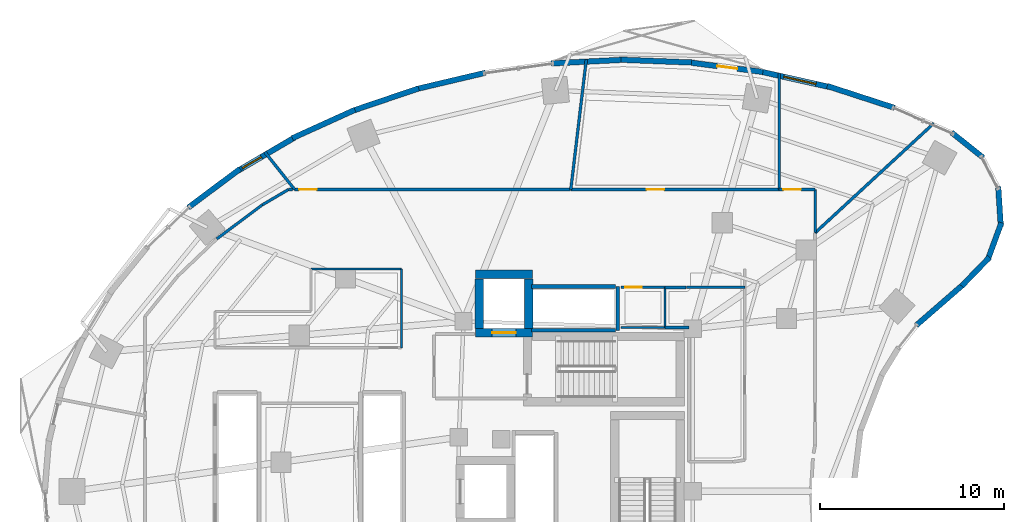
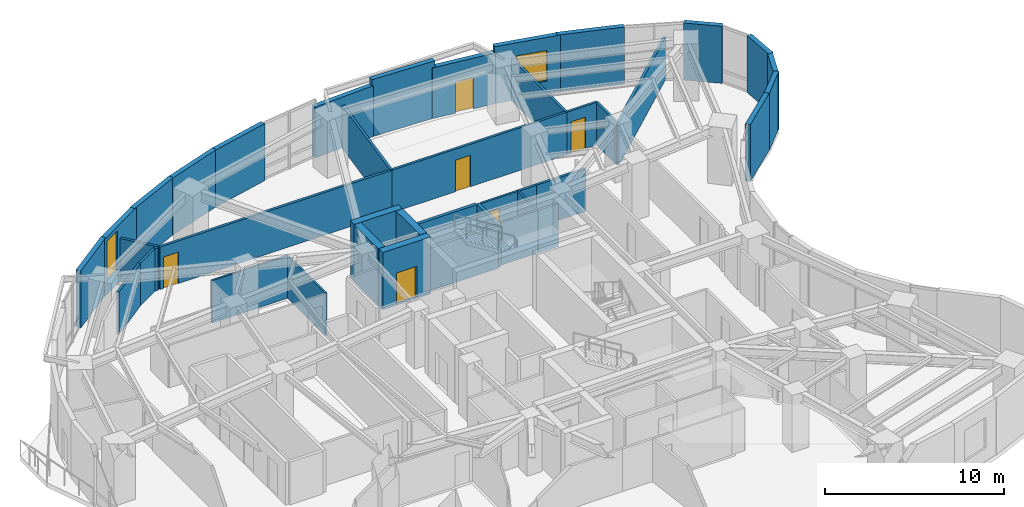
# One storey, part 11 of 15: 41 walls, 6 doors, 2 windows, 8 openings.
"""IFC4 building model written with IfcOpenShell, lengths in metres."""

from ifc_helpers import new_model, si_unit, direction, frame, frame_2d, origin, place, context, subcontext, project, spatial, rectangle, extrude, material, layer, layer_set, type_object, element, fill, save


model = new_model("IFC4")

# Units and contexts
model_context = context("Model", 3, precision=1e-05, world=origin(), true_north=direction((0.0, 1.0)))
body_context = subcontext(model_context, "Body", "Model", "MODEL_VIEW")
ifc_project = project(units=[si_unit("LENGTHUNIT", "METRE"), si_unit("AREAUNIT", "SQUARE_METRE"), si_unit("VOLUMEUNIT", "CUBIC_METRE"), si_unit("PLANEANGLEUNIT", "RADIAN"), si_unit("MASSUNIT", "GRAM", prefix="KILO")], contexts=[model_context])

# Site, building, storey
site_placement = place(None, origin())
site = spatial("IfcSite", under=ifc_project, at=site_placement, CompositionType="ELEMENT")
building_placement = place(site_placement, origin())
building = spatial("IfcBuilding", under=site, at=building_placement, Name="Korentha Bioscience Tower", CompositionType="ELEMENT")
storey_placement = place(building_placement, frame((0.0, 0.0, 76.199951171875)))
storey = spatial("IfcBuildingStorey", under=building, at=storey_placement, Name="L17", CompositionType="ELEMENT", Elevation=76.199951171875)

# Wall, opening, door
ifc_material_1 = material(Name="Double-Stud Acoustic Gypsum", Category="gypsum")
ifc_layer_1 = layer(ifc_material_1, 0.14990234375, Name="Double-Stud Acoustic Gypsum")
ifc_layer_set_1 = layer_set([ifc_layer_1], Name="Double-Stud Acoustic Gypsum (IW-L150)")
wall_type_1 = type_object("IfcWallType", Name="Acoustic Laboratory Partition Wall 150", PredefinedType="PARTITIONING", material=ifc_layer_set_1)
wall_1_placement = place(storey_placement, frame((42.241943359375, 43.409912109375, 0.0), z_axis=(0.0, 0.0, 1.0), x_axis=(-1.0, 0.0, 0.0)))
wall_1 = element("IfcWall", 1, at=wall_1_placement, inside=storey, type_object=wall_type_1, Name="L17 Lyophilization Freeze-Drying Room 11 Entrance Wall", PredefinedType="PARTITIONING", context=body_context, shape_type="SweptSolid", body=[
    extrude(rectangle(XDim=11.3095703125, YDim=0.14990234375, at=frame_2d((5.65478515625, 0.0))), origin(), (0.0, 0.0, 1.0), 2.91015625),
])
opening_1_placement = place(wall_1_placement, frame((6.240966796875, 0.0, 0.0)))
opening_1 = element("IfcOpeningElement", 2, at=opening_1_placement, cuts=wall_1, Name="Opening ID-10R", PredefinedType="OPENING", context=body_context, shape_type="SweptSolid", body=[
    extrude(rectangle(XDim=0.949951171875, YDim=2.14990234375, at=frame_2d((0.47509765625, 1.074951171875))), frame((0.0, 0.08984375, 0.0), z_axis=(0.0, -1.0, 0.0), x_axis=(1.0, 0.0, 0.0)), (0.0, 0.0, 1.0), 0.1796875),
])
ifc_material_2 = material(Name="Phenolic Laminate Timber Core", Category="wood")
door_type_1 = type_object("IfcDoorType", Name="Laboratory Single Leaf Door 950x2150 Right", OperationType="SINGLE_SWING_RIGHT", PredefinedType="DOOR", material=ifc_material_2)
door_1_placement = place(opening_1_placement, origin())
door_1 = element("IfcDoor", 3, at=door_1_placement, inside=storey, type_object=door_type_1, Name="L17 Lyophilization Freeze-Drying Room 11 Door", OperationType="SINGLE_SWING_RIGHT", OverallHeight=2.14990234375, OverallWidth=0.949951171875, PredefinedType="DOOR", context=body_context, shape_type="SweptSolid", body=[
    extrude(rectangle(XDim=0.949951171875, YDim=2.14990234375, at=frame_2d((0.47509765625, 1.074951171875))), frame((0.0, 0.02490234375, 0.0), z_axis=(0.0, -1.0, 0.0), x_axis=(1.0, 0.0, 0.0)), (0.0, 0.0, 1.0), 0.050048828125),
])
fill(opening_1, door_1)

# Walls
wall_2_placement = place(storey_placement, frame((37.35009765625, 35.909912109375, 0.0), z_axis=(0.0, 0.0, 1.0), x_axis=(-1.0, 0.0, 0.0)))
element("IfcWall", 4, at=wall_2_placement, inside=storey, type_object=wall_type_1, Name="L17 Interior Partition 063", PredefinedType="PARTITIONING", context=body_context, shape_type="SweptSolid", body=[
    extrude(rectangle(XDim=1.2900390625, YDim=0.14990234375, at=frame_2d((0.64501953125, 0.0))), origin(), (0.0, 0.0, 1.0), 2.91015625),
])
wall_3_placement = place(storey_placement, frame((36.06005859375, 38.090087890625, 0.0), z_axis=(0.0, 0.0, 1.0), x_axis=(1.0, 0.0, 0.0)))
element("IfcWall", 5, at=wall_3_placement, inside=storey, type_object=wall_type_1, Name="L17 Interior Partition 064", PredefinedType="PARTITIONING", context=body_context, shape_type="SweptSolid", body=[
    extrude(rectangle(XDim=1.139892578125, YDim=0.14990234375, at=frame_2d((0.56982421875, 0.0))), origin(), (0.0, 0.0, 1.0), 2.91015625),
])
wall_4_placement = place(storey_placement, frame((37.2099609375, 38.10009765625, 0.0), z_axis=(0.0, 0.0, 1.0), x_axis=(1.0, 0.0, 0.0)))
element("IfcWall", 6, at=wall_4_placement, inside=storey, type_object=wall_type_1, Name="L17 Interior Partition 066", PredefinedType="PARTITIONING", context=body_context, shape_type="SweptSolid", body=[
    extrude(rectangle(XDim=3.179931640625, YDim=0.14990234375, at=frame_2d((1.58984375, 0.0))), origin(), (0.0, 0.0, 1.0), 2.91015625),
])
wall_5_placement = place(storey_placement, frame((30.932373046875, 43.409912109375, 0.0), z_axis=(0.0, 0.0, 1.0), x_axis=(0.118403788483, 0.992965529549, 0.0)))
element("IfcWall", 7, at=wall_5_placement, inside=storey, type_object=wall_type_1, Name="L17 Interior Partition 070", PredefinedType="PARTITIONING", context=body_context, shape_type="SweptSolid", body=[
    extrude(rectangle(XDim=7.11572265625, YDim=0.14990234375, at=frame_2d((3.557861328125, 0.0))), origin(), (0.0, 0.0, 1.0), 2.91015625),
])
wall_6_placement = place(storey_placement, frame((15.81689453125, 43.409912109375, 0.0), z_axis=(0.0, 0.0, 1.0), x_axis=(-1.0, 0.0, 0.0)))
element("IfcWall", 8, at=wall_6_placement, inside=storey, type_object=wall_type_1, Name="L17 Interior Partition 077", PredefinedType="PARTITIONING", context=body_context, shape_type="SweptSolid", body=[
    extrude(rectangle(XDim=0.22607421875, YDim=0.14990234375, at=frame_2d((0.113037109375, 0.0))), origin(), (0.0, 0.0, 1.0), 2.91015625),
])
wall_7_placement = place(storey_placement, frame((15.585693359375, 43.40869140625, 0.0), z_axis=(0.0, 0.0, 1.0), x_axis=(-0.862446636904, -0.506148000582, 0.0)))
element("IfcWall", 9, at=wall_7_placement, inside=storey, type_object=wall_type_1, Name="L17 Interior Partition 078", PredefinedType="PARTITIONING", context=body_context, shape_type="SweptSolid", body=[
    extrude(rectangle(XDim=1.652099609375, YDim=0.14990234375, at=frame_2d((0.826171875, 0.0))), origin(), (0.0, 0.0, 1.0), 2.91015625),
])
wall_8_placement = place(storey_placement, frame((14.159912109375, 42.57177734375, 0.0), z_axis=(0.0, 0.0, 1.0), x_axis=(-0.800808090092, -0.598921032227, 0.0)))
element("IfcWall", 10, at=wall_8_placement, inside=storey, type_object=wall_type_1, Name="L17 Interior Partition 079", PredefinedType="PARTITIONING", context=body_context, shape_type="SweptSolid", body=[
    extrude(rectangle(XDim=3.078857421875, YDim=0.14990234375, at=frame_2d((1.53955078125, 0.0))), origin(), (0.0, 0.0, 1.0), 2.91015625),
])

# Wall, opening, door
ifc_material_3 = material(Name="Insulated Aluminium Honeycomb Panel", Category="aluminium")
ifc_layer_2 = layer(ifc_material_3, 0.139892578125, Name="Insulated Aluminium Honeycomb Panel")
ifc_layer_set_2 = layer_set([ifc_layer_2], Name="Insulated Aluminium Honeycomb Panel (IW-F60)")
wall_type_2 = type_object("IfcWallType", Name="Cleanroom Flush Metal Panel Partition 140", PredefinedType="PARTITIONING", material=ifc_layer_set_2)
wall_9_placement = place(storey_placement, frame((44.199951171875, 43.409912109375, 0.0), z_axis=(0.0, 0.0, 1.0), x_axis=(-1.0, 0.0, 0.0)))
wall_9 = element("IfcWall", 11, at=wall_9_placement, inside=storey, type_object=wall_type_2, Name="L17 Vaccine Formulation Cleanroom 10 Entrance Wall", PredefinedType="PARTITIONING", context=body_context, shape_type="SweptSolid", body=[
    extrude(rectangle(XDim=1.947998046875, YDim=0.139892578125, at=frame_2d((0.97412109375, 0.0))), origin(), (0.0, 0.0, 1.0), 2.91015625),
])
opening_2_placement = place(wall_9_placement, frame((0.758056640625, 0.0, 0.0)))
opening_2 = element("IfcOpeningElement", 12, at=opening_2_placement, cuts=wall_9, Name="Opening ID-10L", PredefinedType="OPENING", context=body_context, shape_type="SweptSolid", body=[
    extrude(rectangle(XDim=0.949951171875, YDim=2.14990234375, at=frame_2d((0.47509765625, 1.074951171875))), frame((0.0, 0.0849609375, 0.0), z_axis=(0.0, -1.0, 0.0), x_axis=(1.0, 0.0, 0.0)), (0.0, 0.0, 1.0), 0.169677734375),
])
door_type_2 = type_object("IfcDoorType", Name="Laboratory Single Leaf Door 950x2150 Left", OperationType="SINGLE_SWING_LEFT", PredefinedType="DOOR", material=ifc_material_2)
door_2_placement = place(opening_2_placement, origin())
door_2 = element("IfcDoor", 13, at=door_2_placement, inside=storey, type_object=door_type_2, Name="L17 Vaccine Formulation Cleanroom 10 Door", OperationType="SINGLE_SWING_LEFT", OverallHeight=2.14990234375, OverallWidth=0.949951171875, PredefinedType="DOOR", context=body_context, shape_type="SweptSolid", body=[
    extrude(rectangle(XDim=0.949951171875, YDim=2.14990234375, at=frame_2d((0.47509765625, 1.074951171875))), frame((0.0, 0.02490234375, 0.0), z_axis=(0.0, -1.0, 0.0), x_axis=(1.0, 0.0, 0.0)), (0.0, 0.0, 1.0), 0.050048828125),
])
fill(opening_2, door_2)

# Walls
wall_10_placement = place(storey_placement, frame((44.2099609375, 41.070556640625, 0.0), z_axis=(0.0, 0.0, 1.0), x_axis=(0.0, 1.0, 0.0)))
element("IfcWall", 14, at=wall_10_placement, inside=storey, type_object=wall_type_2, Name="L17 Interior Partition 068", PredefinedType="PARTITIONING", context=body_context, shape_type="SweptSolid", body=[
    extrude(rectangle(XDim=2.329345703125, YDim=0.139892578125, at=frame_2d((1.16455078125, 0.0))), origin(), (0.0, 0.0, 1.0), 2.91015625),
])
wall_11_placement = place(storey_placement, frame((42.251953125, 43.409912109375, 0.0), z_axis=(0.0, 0.0, 1.0), x_axis=(0.0, 1.0, 0.0)))
element("IfcWall", 15, at=wall_11_placement, inside=storey, type_object=wall_type_2, Name="L17 Interior Partition 069", PredefinedType="PARTITIONING", context=body_context, shape_type="SweptSolid", body=[
    extrude(rectangle(XDim=6.3212890625, YDim=0.139892578125, at=frame_2d((3.16064453125, 0.0))), origin(), (0.0, 0.0, 1.0), 2.91015625),
])
ifc_material_4 = material(Name="Fire-Rated Framed Glass", Category="glass")
ifc_layer_3 = layer(ifc_material_4, 0.110107421875, Name="Fire-Rated Framed Glass")
ifc_layer_set_3 = layer_set([ifc_layer_3], Name="Fire-Rated Framed Glass (IW-G110)")
wall_type_3 = type_object("IfcWallType", Name="Demountable Glazed Office Partition 110", PredefinedType="MOVABLE", material=ifc_layer_set_3)
wall_12_placement = place(storey_placement, frame((16.81005859375, 39.090087890625, 0.0), z_axis=(0.0, 0.0, 1.0), x_axis=(1.0, 0.0, 0.0)))
element("IfcWall", 16, at=wall_12_placement, inside=storey, type_object=wall_type_3, Name="L17 Interior Partition 074", PredefinedType="MOVABLE", context=body_context, shape_type="SweptSolid", body=[
    extrude(rectangle(XDim=4.929931640625, YDim=0.110107421875, at=frame_2d((2.46484375, 0.0))), origin(), (0.0, 0.0, 1.0), 2.91015625),
])
wall_13_placement = place(storey_placement, frame((21.739990234375, 39.090087890625, 0.0), z_axis=(0.0, 0.0, 1.0), x_axis=(0.0, -1.0, 0.0)))
element("IfcWall", 17, at=wall_13_placement, inside=storey, type_object=wall_type_3, Name="L17 Interior Partition 075", PredefinedType="MOVABLE", context=body_context, shape_type="SweptSolid", body=[
    extrude(rectangle(XDim=4.280029296875, YDim=0.110107421875, at=frame_2d((2.14013671875, 0.0))), origin(), (0.0, 0.0, 1.0), 2.91015625),
])

# Wall, opening, door
ifc_material_5 = material(Name="Gypsum-Clad Steel Stud", Category="steel")
ifc_layer_4 = layer(ifc_material_5, 0.159912109375, Name="Gypsum-Clad Steel Stud")
ifc_layer_set_4 = layer_set([ifc_layer_4], Name="Gypsum-Clad Steel Stud (IW-C160)")
wall_type_4 = type_object("IfcWallType", Name="Fire-Rated Corridor Partition Wall 160", PredefinedType="PARTITIONING", material=ifc_layer_set_4)
wall_14_placement = place(storey_placement, frame((30.92236328125, 43.409912109375, 0.0), z_axis=(0.0, 0.0, 1.0), x_axis=(-1.0, 0.0, 0.0)))
wall_14 = element("IfcWall", 18, at=wall_14_placement, inside=storey, type_object=wall_type_4, Name="L17 Cold-Chain Stability Chamber 12 Entrance Wall", PredefinedType="PARTITIONING", context=body_context, shape_type="SweptSolid", body=[
    extrude(rectangle(XDim=14.999267578125, YDim=0.159912109375, at=frame_2d((7.49951171875, 0.0))), origin(), (0.0, 0.0, 1.0), 2.91015625),
])
opening_3_placement = place(wall_14_placement, frame((13.809326171875, 0.0, 0.0)))
opening_3 = element("IfcOpeningElement", 19, at=opening_3_placement, cuts=wall_14, Name="Opening ID-10L", PredefinedType="OPENING", context=body_context, shape_type="SweptSolid", body=[
    extrude(rectangle(XDim=0.949951171875, YDim=2.14990234375, at=frame_2d((0.47509765625, 1.074951171875))), frame((0.0, 0.0947265625, 0.0), z_axis=(0.0, -1.0, 0.0), x_axis=(1.0, 0.0, 0.0)), (0.0, 0.0, 1.0), 0.189697265625),
])
door_3_placement = place(opening_3_placement, origin())
door_3 = element("IfcDoor", 20, at=door_3_placement, inside=storey, type_object=door_type_2, Name="L17 Cold-Chain Stability Chamber 12 Door", OperationType="SINGLE_SWING_LEFT", OverallHeight=2.14990234375, OverallWidth=0.949951171875, PredefinedType="DOOR", context=body_context, shape_type="SweptSolid", body=[
    extrude(rectangle(XDim=0.949951171875, YDim=2.14990234375, at=frame_2d((0.47509765625, 1.074951171875))), frame((0.0, 0.02490234375, 0.0), z_axis=(0.0, -1.0, 0.0), x_axis=(1.0, 0.0, 0.0)), (0.0, 0.0, 1.0), 0.050048828125),
])
fill(opening_3, door_3)

# Walls
wall_15_placement = place(storey_placement, frame((44.2099609375, 41.056884765625, 0.0), z_axis=(0.0, 0.0, 1.0), x_axis=(0.734905798847, 0.678169202206, 0.0)))
element("IfcWall", 21, at=wall_15_placement, inside=storey, type_object=wall_type_4, Name="L17 Interior Partition 060", PredefinedType="PARTITIONING", context=body_context, shape_type="SweptSolid", body=[
    extrude(rectangle(XDim=8.7783203125, YDim=0.159912109375, at=frame_2d((4.38916015625, 0.0))), origin(), (0.0, 0.0, 1.0), 2.91015625),
])
wall_16_placement = place(storey_placement, frame((15.923095703125, 43.409912109375, 0.0), z_axis=(0.0, 0.0, 1.0), x_axis=(-0.622507898818, 0.782613516309, 0.0)))
element("IfcWall", 22, at=wall_16_placement, inside=storey, type_object=wall_type_4, Name="L17 Interior Partition 071", PredefinedType="PARTITIONING", context=body_context, shape_type="SweptSolid", body=[
    extrude(rectangle(XDim=2.60302734375, YDim=0.159912109375, at=frame_2d((1.301513671875, 0.0))), origin(), (0.0, 0.0, 1.0), 2.91015625),
])

# Wall, opening, window
ifc_material_6 = material(Name="Honed Limestone Precast Concrete C40", Category="masonry")
ifc_layer_5 = layer(ifc_material_6, 0.300048828125, Name="Honed Limestone Precast Concrete C40")
ifc_layer_set_5 = layer_set([ifc_layer_5], Name="Honed Limestone Precast Concrete C40 (EW-ST300)")
wall_type_5 = type_object("IfcWallType", Name="Honed Limestone Cavity Spandrel Wall 300", PredefinedType="STANDARD", material=ifc_layer_set_5)
wall_17_placement = place(storey_placement, frame((45.015869140625, 48.97607421875, 0.0), z_axis=(0.0, 0.0, 1.0), x_axis=(-0.9758772609, 0.218319883791, 0.0)))
wall_17 = element("IfcWall", 23, at=wall_17_placement, inside=storey, type_object=wall_type_5, Name="L17 Honed Limestone Spandrel Wall 03", PredefinedType="STANDARD", context=body_context, shape_type="SweptSolid", body=[
    extrude(rectangle(XDim=3.869140625, YDim=0.300048828125, at=frame_2d((1.9345703125, 0.0))), origin(), (0.0, 0.0, 1.0), 3.900146484375),
])
opening_4_placement = place(wall_17_placement, frame((0.775634765625, 0.0, 0.89990234375)))
opening_4 = element("IfcOpeningElement", 24, at=opening_4_placement, cuts=wall_17, Name="Opening WN-01", PredefinedType="OPENING", context=body_context, shape_type="SweptSolid", body=[
    extrude(rectangle(XDim=1.800048828125, YDim=2.10009765625, at=frame_2d((0.89990234375, 1.050048828125))), frame((0.0, 0.1650390625, 0.0), z_axis=(0.0, -1.0, 0.0), x_axis=(1.0, 0.0, 0.0)), (0.0, 0.0, 1.0), 0.329833984375),
])
ifc_material_7 = material(Name="Thermally Broken Aluminium Triple Glazing", Category="aluminium")
window_type_1 = type_object("IfcWindowType", Name="Triple-Glazed Fixed Bioscience Window 1800x2100", PartitioningType="SINGLE_PANEL", PredefinedType="WINDOW", material=ifc_material_7)
window_1_placement = place(opening_4_placement, origin())
window_1 = element("IfcWindow", 25, at=window_1_placement, inside=storey, type_object=window_type_1, Name="L17 Facade Window 03", OverallHeight=2.10009765625, OverallWidth=1.800048828125, PartitioningType="SINGLE_PANEL", PredefinedType="WINDOW", context=body_context, shape_type="SweptSolid", body=[
    extrude(rectangle(XDim=1.800048828125, YDim=2.10009765625, at=frame_2d((0.89990234375, 1.050048828125))), frame((0.0, 0.030029296875, 0.0), z_axis=(0.0, -1.0, 0.0), x_axis=(1.0, 0.0, 0.0)), (0.0, 0.0, 1.0), 0.06005859375),
])
fill(opening_4, window_1)

# Wall, opening, door
wall_18_placement = place(storey_placement, frame((41.37255859375, 49.797607421875, 0.0), z_axis=(0.0, 0.0, 1.0), x_axis=(-0.991741322416, 0.128254237408, 0.0)))
wall_18 = element("IfcWall", 26, at=wall_18_placement, inside=storey, type_object=wall_type_5, Name="L17 Balcony Threshold Wall 01", PredefinedType="STANDARD", context=body_context, shape_type="SweptSolid", body=[
    extrude(rectangle(XDim=3.91552734375, YDim=0.300048828125, at=frame_2d((1.957763671875, 0.0))), origin(), (0.0, 0.0, 1.0), 3.469970703125),
])
opening_5_placement = place(wall_18_placement, frame((1.407958984375, 0.0, 0.0)))
opening_5 = element("IfcOpeningElement", 27, at=opening_5_placement, cuts=wall_18, Name="Opening BD-11L", PredefinedType="OPENING", context=body_context, shape_type="SweptSolid", body=[
    extrude(rectangle(XDim=1.10009765625, YDim=2.14990234375, at=frame_2d((0.550048828125, 1.074951171875))), frame((0.0, 0.1650390625, 0.0), z_axis=(0.0, -1.0, 0.0), x_axis=(1.0, 0.0, 0.0)), (0.0, 0.0, 1.0), 0.329833984375),
])
ifc_material_8 = material(Name="Thermally Broken Glazed Aluminium", Category="aluminium")
door_type_3 = type_object("IfcDoorType", Name="Balcony Terrace Glazed Door 1100x2150 Left", OperationType="SINGLE_SWING_LEFT", PredefinedType="DOOR", material=ifc_material_8)
door_4_placement = place(opening_5_placement, origin())
door_4 = element("IfcDoor", 28, at=door_4_placement, inside=storey, type_object=door_type_3, Name="L17 Balcony Access Door 01", OperationType="SINGLE_SWING_LEFT", OverallHeight=2.14990234375, OverallWidth=1.10009765625, PredefinedType="DOOR", context=body_context, shape_type="SweptSolid", body=[
    extrude(rectangle(XDim=1.10009765625, YDim=2.14990234375, at=frame_2d((0.550048828125, 1.074951171875))), frame((0.0, 0.02490234375, 0.0), z_axis=(0.0, -1.0, 0.0), x_axis=(1.0, 0.0, 0.0)), (0.0, 0.0, 1.0), 0.050048828125),
])
fill(opening_5, door_4)

# Wall, opening, window
wall_19_placement = place(storey_placement, frame((15.943603515625, 46.25048828125, 0.0), z_axis=(0.0, 0.0, 1.0), x_axis=(-0.862473134325, -0.506102847817, 0.0)))
wall_19 = element("IfcWall", 29, at=wall_19_placement, inside=storey, type_object=wall_type_5, Name="L17 Honed Limestone Spandrel Wall 11", PredefinedType="STANDARD", context=body_context, shape_type="SweptSolid", body=[
    extrude(rectangle(XDim=3.59521484375, YDim=0.300048828125, at=frame_2d((1.797607421875, 0.0))), origin(), (0.0, 0.0, 1.0), 3.900146484375),
])
opening_6_placement = place(wall_19_placement, frame((2.120361328125, 0.0, 0.89990234375)))
opening_6 = element("IfcOpeningElement", 30, at=opening_6_placement, cuts=wall_19, Name="Opening WN-03", PredefinedType="OPENING", context=body_context, shape_type="SweptSolid", body=[
    extrude(rectangle(XDim=1.199951171875, YDim=2.699951171875, at=frame_2d((0.60009765625, 1.35009765625))), frame((0.0, 0.1650390625, 0.0), z_axis=(0.0, -1.0, 0.0), x_axis=(1.0, 0.0, 0.0)), (0.0, 0.0, 1.0), 0.329833984375),
])
window_type_2 = type_object("IfcWindowType", Name="Theatre Foyer Tall Ribbon Window 1200x2700", PartitioningType="SINGLE_PANEL", PredefinedType="WINDOW", material=ifc_material_7)
window_2_placement = place(opening_6_placement, origin())
window_2 = element("IfcWindow", 31, at=window_2_placement, inside=storey, type_object=window_type_2, Name="L17 Facade Window 11", OverallHeight=2.699951171875, OverallWidth=1.199951171875, PartitioningType="SINGLE_PANEL", PredefinedType="WINDOW", context=body_context, shape_type="SweptSolid", body=[
    extrude(rectangle(XDim=1.199951171875, YDim=2.699951171875, at=frame_2d((0.60009765625, 1.35009765625))), frame((0.0, 0.030029296875, 0.0), z_axis=(0.0, -1.0, 0.0), x_axis=(1.0, 0.0, 0.0)), (0.0, 0.0, 1.0), 0.06005859375),
])
fill(opening_6, window_2)

# Walls
wall_20_placement = place(storey_placement, frame((48.524658203125, 47.84912109375, 0.0), z_axis=(0.0, 0.0, 1.0), x_axis=(-0.950965833732, 0.309295947393, 0.0)))
element("IfcWall", 32, at=wall_20_placement, inside=storey, type_object=wall_type_5, Name="L17 Limestone Perimeter Closure Wall 02", PredefinedType="STANDARD", context=body_context, shape_type="SweptSolid", body=[
    extrude(rectangle(XDim=3.840087890625, YDim=0.300048828125, at=frame_2d((1.919921875, 0.0))), origin(), (0.0, 0.0, 1.0), 3.900146484375),
])
wall_21_placement = place(storey_placement, frame((37.643798828125, 50.307861328125, 0.0), z_axis=(0.0, 0.0, 1.0), x_axis=(-0.999245411623, 0.038840794937, 0.0)))
element("IfcWall", 33, at=wall_21_placement, inside=storey, type_object=wall_type_5, Name="L17 Limestone Perimeter Closure Wall 05", PredefinedType="STANDARD", context=body_context, shape_type="SweptSolid", body=[
    extrude(rectangle(XDim=3.978759765625, YDim=0.300048828125, at=frame_2d((1.9892578125, 0.0))), origin(), (0.0, 0.0, 1.0), 3.900146484375),
])
wall_22_placement = place(storey_placement, frame((33.84033203125, 50.46337890625, 0.0), z_axis=(0.0, 0.0, 1.0), x_axis=(-0.998732359232, -0.050335619826, 0.0)))
element("IfcWall", 34, at=wall_22_placement, inside=storey, type_object=wall_type_5, Name="L17 Limestone Perimeter Closure Wall 06", PredefinedType="STANDARD", context=body_context, shape_type="SweptSolid", body=[
    extrude(rectangle(XDim=3.977294921875, YDim=0.300048828125, at=frame_2d((1.98876953125, 0.0))), origin(), (0.0, 0.0, 1.0), 3.469970703125),
])
wall_23_placement = place(storey_placement, frame((26.29736328125, 49.7587890625, 0.0), z_axis=(0.0, 0.0, 1.0), x_axis=(-0.973197600754, -0.229970497863, 0.0)))
element("IfcWall", 35, at=wall_23_placement, inside=storey, type_object=wall_type_5, Name="L17 Limestone Perimeter Closure Wall 08", PredefinedType="STANDARD", context=body_context, shape_type="SweptSolid", body=[
    extrude(rectangle(XDim=3.9013671875, YDim=0.300048828125, at=frame_2d((1.95068359375, 0.0))), origin(), (0.0, 0.0, 1.0), 3.900146484375),
])
wall_24_placement = place(storey_placement, frame((22.6669921875, 48.9091796875, 0.0), z_axis=(0.0, 0.0, 1.0), x_axis=(-0.94702579403, -0.321157508773, 0.0)))
element("IfcWall", 36, at=wall_24_placement, inside=storey, type_object=wall_type_5, Name="L17 Limestone Perimeter Closure Wall 09", PredefinedType="STANDARD", context=body_context, shape_type="SweptSolid", body=[
    extrude(rectangle(XDim=3.829833984375, YDim=0.300048828125, at=frame_2d((1.9150390625, 0.0))), origin(), (0.0, 0.0, 1.0), 3.900146484375),
])
wall_25_placement = place(storey_placement, frame((19.201416015625, 47.7431640625, 0.0), z_axis=(0.0, 0.0, 1.0), x_axis=(-0.910623406862, -0.413237233166, 0.0)))
element("IfcWall", 37, at=wall_25_placement, inside=storey, type_object=wall_type_5, Name="L17 Limestone Perimeter Closure Wall 10", PredefinedType="STANDARD", context=body_context, shape_type="SweptSolid", body=[
    extrude(rectangle(XDim=3.73974609375, YDim=0.300048828125, at=frame_2d((1.869873046875, 0.0))), origin(), (0.0, 0.0, 1.0), 3.900146484375),
])
wall_26_placement = place(storey_placement, frame((12.96142578125, 44.53515625, 0.0), z_axis=(0.0, 0.0, 1.0), x_axis=(-0.800823020995, -0.598901067827, 0.0)))
element("IfcWall", 38, at=wall_26_placement, inside=storey, type_object=wall_type_5, Name="L17 Limestone Perimeter Closure Wall 12", PredefinedType="STANDARD", context=body_context, shape_type="SweptSolid", body=[
    extrude(rectangle(XDim=3.520751953125, YDim=0.300048828125, at=frame_2d((1.76025390625, 0.0))), origin(), (0.0, 0.0, 1.0), 3.900146484375),
])
wall_27_placement = place(storey_placement, frame((49.708984375, 36.029296875, 0.0), z_axis=(0.0, 0.0, 1.0), x_axis=(0.754746490246, 0.656016566454, 0.0)))
element("IfcWall", 39, at=wall_27_placement, inside=storey, type_object=wall_type_5, Name="L17 Limestone Perimeter Closure Wall 56", PredefinedType="STANDARD", context=body_context, shape_type="SweptSolid", body=[
    extrude(rectangle(XDim=3.4296875, YDim=0.300048828125, at=frame_2d((1.71484375, 0.0))), origin(), (0.0, 0.0, 1.0), 3.900146484375),
])
wall_28_placement = place(storey_placement, frame((52.1728515625, 38.1611328125, 0.0), z_axis=(0.0, 0.0, 1.0), x_axis=(0.695404695719, 0.718618333451, 0.0)))
element("IfcWall", 40, at=wall_28_placement, inside=storey, type_object=wall_type_5, Name="L17 Limestone Perimeter Closure Wall 58", PredefinedType="STANDARD", context=body_context, shape_type="SweptSolid", body=[
    extrude(rectangle(XDim=2.1875, YDim=0.300048828125, at=frame_2d((1.09375, 0.0))), origin(), (0.0, 0.0, 1.0), 3.900146484375),
])
for number, where, z_axis, x_axis, name in (
    (41, (53.580078125, 39.551513671875, 0.0), (0.0, 0.0, 1.0), (0.344939866054, 0.938624785954, 0.0), "L17 Limestone Perimeter Closure Wall 59"),
    (42, (54.303955078125, 41.392578125, 0.0), (0.0, 0.0, 1.0), (-0.064615302336, 0.99791024782, 0.0), "L17 Limestone Perimeter Closure Wall 60"),
    (43, (53.343994140625, 45.142822265625, 0.0), (0.0, 0.0, 1.0), (-0.782282158644, 0.622924252432, 0.0), "L17 Limestone Perimeter Closure Wall 62"),
):
    element("IfcWall", number, at=place(storey_placement, frame(where, z_axis=z_axis, x_axis=x_axis)), inside=storey, type_object=wall_type_5, Name=name, PredefinedType="STANDARD", context=body_context, shape_type="SweptSolid", body=[
        extrude(rectangle(XDim=2.187744140625, YDim=0.300048828125, at=frame_2d((1.09375, 0.0))), origin(), (0.0, 0.0, 1.0), 3.900146484375),
    ])
ifc_material_9 = material(Name="Autoclaved Aerated Concrete Block C25", Category="concrete")
ifc_layer_6 = layer(ifc_material_9, 0.199951171875, Name="Autoclaved Aerated Concrete Block C25")
ifc_layer_set_6 = layer_set([ifc_layer_6], Name="Autoclaved Aerated Concrete Block C25 (IW-S200)")
wall_type_6 = type_object("IfcWallType", Name="Lift and Riser Shaft Enclosure Wall 200", PredefinedType="PARTITIONING", material=ifc_layer_set_6)
wall_29_placement = place(storey_placement, frame((33.489990234375, 35.760009765625, 0.0), z_axis=(0.0, 0.0, 1.0), x_axis=(0.0, 1.0, 0.0)))
element("IfcWall", 44, at=wall_29_placement, inside=storey, type_object=wall_type_6, Name="L17 Lift Bank OBS Shaft Wall +X", PredefinedType="PARTITIONING", context=body_context, shape_type="SweptSolid", body=[
    extrude(rectangle(XDim=2.3798828125, YDim=0.199951171875, at=frame_2d((1.18994140625, 0.0))), origin(), (0.0, 0.0, 1.0), 2.91015625),
])
for number, where, z_axis, x_axis, name in (
    (45, (28.800048828125, 35.760009765625, 0.0), (0.0, 0.0, 1.0), (1.0, 0.0, 0.0), "L17 Lift Bank OBS Shaft Wall -Y"),
    (46, (28.800048828125, 38.139892578125, 0.0), (0.0, 0.0, 1.0), (1.0, 0.0, 0.0), "L17 Lift Bank OBS Shaft Wall +Y"),
):
    element("IfcWall", number, at=place(storey_placement, frame(where, z_axis=z_axis, x_axis=x_axis)), inside=storey, type_object=wall_type_6, Name=name, PredefinedType="PARTITIONING", context=body_context, shape_type="SweptSolid", body=[
        extrude(rectangle(XDim=4.570068359375, YDim=0.199951171875, at=frame_2d((2.28515625, 0.0))), origin(), (0.0, 0.0, 1.0), 2.91015625),
    ])
ifc_material_10 = material(Name="Concrete C80", Category="concrete")
ifc_layer_7 = layer(ifc_material_10, 0.449951171875, Name="Concrete C80")
ifc_layer_set_7 = layer_set([ifc_layer_7], Name="Concrete C80 (CW-C80)")
wall_type_7 = type_object("IfcWallType", Name="Lower Core Shear Wall 450", PredefinedType="SHEAR", material=ifc_layer_set_7)
wall_30_placement = place(storey_placement, frame((25.75, 38.800048828125, 0.0), z_axis=(0.0, 0.0, 1.0), x_axis=(1.0, 0.0, 0.0)))
element("IfcWall", 47, at=wall_30_placement, inside=storey, type_object=wall_type_7, Name="L17 Core Shear Wall FFL2-N", PredefinedType="SHEAR", context=body_context, shape_type="SweptSolid", body=[
    extrude(rectangle(XDim=3.10009765625, YDim=0.449951171875, at=frame_2d((1.550048828125, 0.0))), origin(), (0.0, 0.0, 1.0), 3.900146484375),
])

# Wall, opening, door
wall_31_placement = place(storey_placement, frame((25.75, 35.6201171875, 0.0), z_axis=(0.0, 0.0, 1.0), x_axis=(1.0, 0.0, 0.0)))
wall_31 = element("IfcWall", 48, at=wall_31_placement, inside=storey, type_object=wall_type_7, Name="L17 Core Shear Wall FFL2-S", PredefinedType="SHEAR", context=body_context, shape_type="SweptSolid", body=[
    extrude(rectangle(XDim=3.10009765625, YDim=0.449951171875, at=frame_2d((1.550048828125, 0.0))), origin(), (0.0, 0.0, 1.0), 3.900146484375),
])
opening_7_placement = place(wall_31_placement, frame((0.89990234375, 0.0, 0.0)))
opening_7 = element("IfcOpeningElement", 49, at=opening_7_placement, cuts=wall_31, Name="Opening LD-13", PredefinedType="OPENING", context=body_context, shape_type="SweptSolid", body=[
    extrude(rectangle(XDim=1.300048828125, YDim=2.199951171875, at=frame_2d((0.64990234375, 1.10009765625))), frame((0.0, 0.23974609375, 0.0), z_axis=(0.0, -1.0, 0.0), x_axis=(1.0, 0.0, 0.0)), (0.0, 0.0, 1.0), 0.479736328125),
])
ifc_material_11 = material(Name="Brushed Stainless Steel 316", Category="steel")
door_type_4 = type_object("IfcDoorType", Name="Service & Firefighting Lift Landing Door 1300x2300", OperationType="DOUBLE_DOOR_SLIDING", PredefinedType="DOOR", material=ifc_material_11)
door_5_placement = place(opening_7_placement, origin())
door_5 = element("IfcDoor", 50, at=door_5_placement, inside=storey, type_object=door_type_4, Name="L17 FFL-2 Sliding Lift Landing Door", OperationType="DOUBLE_DOOR_SLIDING", OverallHeight=2.199951171875, OverallWidth=1.300048828125, PredefinedType="DOOR", context=body_context, shape_type="SweptSolid", body=[
    extrude(rectangle(XDim=1.300048828125, YDim=2.199951171875, at=frame_2d((0.64990234375, 1.10009765625))), frame((0.0, 0.02490234375, 0.0), z_axis=(0.0, -1.0, 0.0), x_axis=(1.0, 0.0, 0.0)), (0.0, 0.0, 1.0), 0.050048828125),
])
fill(opening_7, door_5)

# Walls
for number, where, z_axis, x_axis, name in (
    (51, (25.949951171875, 35.860107421875, 0.0), (0.0, 0.0, 1.0), (0.0, 1.0, 0.0), "L17 Core Shear Wall FFL2-W"),
    (52, (28.64990234375, 35.860107421875, 0.0), (0.0, 0.0, 1.0), (0.0, 1.0, 0.0), "L17 Core Shear Wall FFL2-E"),
):
    element("IfcWall", number, at=place(storey_placement, frame(where, z_axis=z_axis, x_axis=x_axis)), inside=storey, type_object=wall_type_7, Name=name, PredefinedType="SHEAR", context=body_context, shape_type="SweptSolid", body=[
        extrude(rectangle(XDim=2.699951171875, YDim=0.449951171875, at=frame_2d((1.35009765625, 0.0))), origin(), (0.0, 0.0, 1.0), 3.900146484375),
    ])

# Wall, opening, door
ifc_material_12 = material(Name="Cement-Board Steel Stud", Category="steel")
ifc_layer_8 = layer(ifc_material_12, 0.1298828125, Name="Cement-Board Steel Stud")
ifc_layer_set_8 = layer_set([ifc_layer_8], Name="Cement-Board Steel Stud (IW-W130)")
wall_type_8 = type_object("IfcWallType", Name="Wet-Area Moisture-Resistant Partition 130", PredefinedType="PARTITIONING", material=ifc_layer_set_8)
wall_32_placement = place(storey_placement, frame((33.64990234375, 38.090087890625, 0.0), z_axis=(0.0, 0.0, 1.0), x_axis=(1.0, 0.0, 0.0)))
wall_32 = element("IfcWall", 53, at=wall_32_placement, inside=storey, type_object=wall_type_8, Name="L17 Accessible Staff WC Entrance Wall", PredefinedType="PARTITIONING", context=body_context, shape_type="SweptSolid", body=[
    extrude(rectangle(XDim=2.400146484375, YDim=0.1298828125, at=frame_2d((1.2001953125, 0.0))), origin(), (0.0, 0.0, 1.0), 2.91015625),
])
opening_8_placement = place(wall_32_placement, frame((0.239990234375, 0.0, 0.0)))
opening_8 = element("IfcOpeningElement", 54, at=opening_8_placement, cuts=wall_32, Name="Opening ID-09L", PredefinedType="OPENING", context=body_context, shape_type="SweptSolid", body=[
    extrude(rectangle(XDim=0.89990234375, YDim=2.14990234375, at=frame_2d((0.449951171875, 1.074951171875))), frame((0.0, 0.079833984375, 0.0), z_axis=(0.0, -1.0, 0.0), x_axis=(1.0, 0.0, 0.0)), (0.0, 0.0, 1.0), 0.15966796875),
])
ifc_material_13 = material(Name="Moisture-Resistant HPL Leaf", Category="wood")
door_type_5 = type_object("IfcDoorType", Name="Restroom & Accessible WC Door 900x2150 Left", OperationType="SINGLE_SWING_LEFT", PredefinedType="DOOR", material=ifc_material_13)
door_6_placement = place(opening_8_placement, origin())
door_6 = element("IfcDoor", 55, at=door_6_placement, inside=storey, type_object=door_type_5, Name="L17 Accessible Staff WC Door", OperationType="SINGLE_SWING_LEFT", OverallHeight=2.14990234375, OverallWidth=0.89990234375, PredefinedType="DOOR", context=body_context, shape_type="SweptSolid", body=[
    extrude(rectangle(XDim=0.89990234375, YDim=2.14990234375, at=frame_2d((0.449951171875, 1.074951171875))), frame((0.0, 0.02490234375, 0.0), z_axis=(0.0, -1.0, 0.0), x_axis=(1.0, 0.0, 0.0)), (0.0, 0.0, 1.0), 0.050048828125),
])
fill(opening_8, door_6)

# Walls
wall_33_placement = place(storey_placement, frame((36.050048828125, 35.909912109375, 0.0), z_axis=(0.0, 0.0, 1.0), x_axis=(-1.0, 0.0, 0.0)))
element("IfcWall", 56, at=wall_33_placement, inside=storey, type_object=wall_type_8, Name="L17 Interior Partition 020", PredefinedType="PARTITIONING", context=body_context, shape_type="SweptSolid", body=[
    extrude(rectangle(XDim=2.400146484375, YDim=0.1298828125, at=frame_2d((1.2001953125, 0.0))), origin(), (0.0, 0.0, 1.0), 2.91015625),
])
wall_34_placement = place(storey_placement, frame((36.050048828125, 38.090087890625, 0.0), z_axis=(0.0, 0.0, 1.0), x_axis=(0.0, -1.0, 0.0)))
element("IfcWall", 57, at=wall_34_placement, inside=storey, type_object=wall_type_8, Name="L17 Interior Partition 021", PredefinedType="PARTITIONING", context=body_context, shape_type="SweptSolid", body=[
    extrude(rectangle(XDim=2.18017578125, YDim=0.1298828125, at=frame_2d((1.090087890625, 0.0))), origin(), (0.0, 0.0, 1.0), 2.91015625),
])

save(model, "model.ifc")
